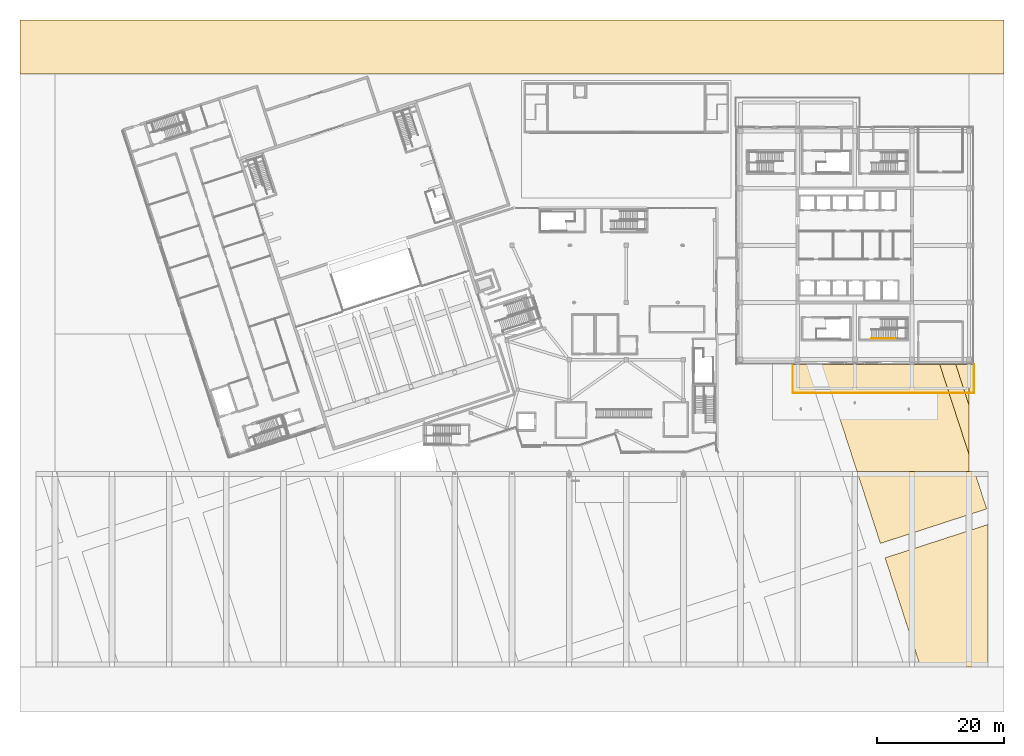
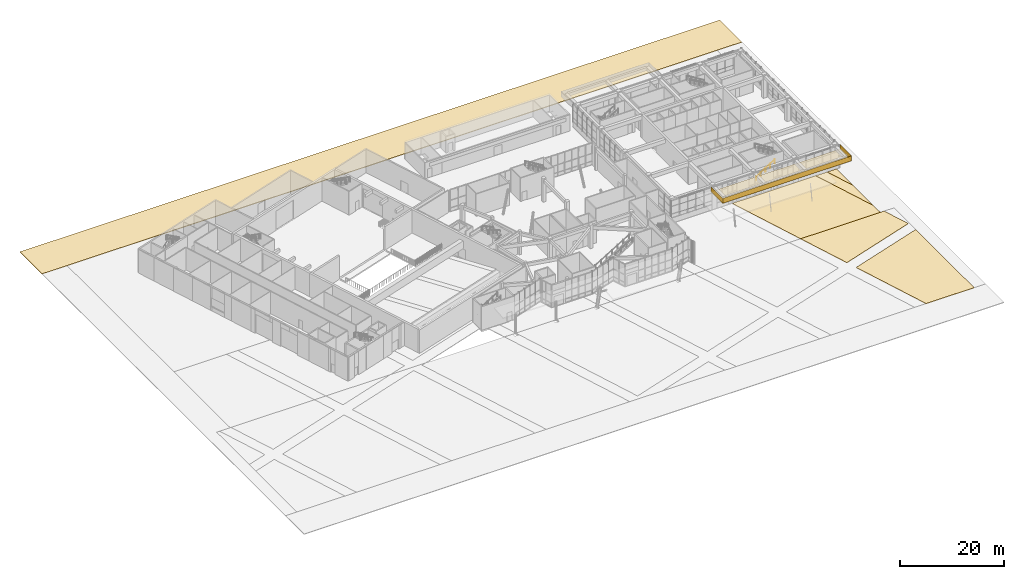
# One storey, part 70 of 72: 8 coverings, 1 railing.
"""IFC4 building model written with IfcOpenShell, lengths in metres."""

import ifcopenshell
import ifcopenshell.guid

model = None  # the IFC model being written
_history = None  # IfcOwnerHistory: only IFC2X3 demands one
_inside = {}  # id of a spatial element -> (the spatial element, [elements in it])
_under = {}  # id of a project, library or spatial element -> (it, [spatial elements below it])
_declared = {}  # id of a project -> (the project, [libraries it declares])
_typed = {}  # id of a type object -> (the type object, [elements of that type])
_made_of = {}  # id of a material, layer set ... -> (it, [elements and type objects made of it])


def new_model(schema):
    """Start an empty IFC model of exactly this schema.

    Asked for "IFC4X3", IfcOpenShell would pick the latest addendum, in which some entities
    have other attributes; the version numbers below select the first issue.
    IFC2X3 requires an IfcOwnerHistory on every rooted entity: one is made here for all.
    """
    global model, _history
    if schema == "IFC4X3":
        model = ifcopenshell.file(schema_version=(4, 3, 0, 0))
    else:
        model = ifcopenshell.file(schema=schema)
    _inside.clear()
    _under.clear()
    _declared.clear()
    _typed.clear()
    _made_of.clear()
    _history = None
    if model.schema == "IFC2X3":
        org = make("IfcOrganization", Name="unknown")
        user = make(
            "IfcPersonAndOrganization",
            ThePerson=make("IfcPerson", FamilyName="unknown"),
            TheOrganization=org,
        )
        app = make(
            "IfcApplication",
            ApplicationDeveloper=org,
            Version="unknown",
            ApplicationFullName="unknown",
            ApplicationIdentifier="unknown",
        )
        _history = make(
            "IfcOwnerHistory",
            OwningUser=user,
            OwningApplication=app,
            ChangeAction="ADDED",
            CreationDate=0,
        )
    return model


def make(cls, **values):
    """One entity of the class cls with the attributes given. An attribute that is None is left unset."""
    return model.create_entity(
        cls, **{name: value for name, value in values.items() if value is not None}
    )


def rooted(cls, **values):
    """An entity with a GlobalId (a new one), such as an element, a storey or a relation."""
    return make(cls, GlobalId=ifcopenshell.guid.new(), OwnerHistory=_history, **values)


def si_unit(unit_type, name, prefix=None):
    """IfcSIUnit, for example si_unit("LENGTHUNIT", "METRE", prefix="MILLI")."""
    return make("IfcSIUnit", UnitType=unit_type, Prefix=prefix, Name=name)


def assignment(units):
    """IfcUnitAssignment: the units of a project."""
    return None if units is None else make("IfcUnitAssignment", Units=units)


def point(xyz):
    """IfcCartesianPoint."""
    return None if xyz is None else make("IfcCartesianPoint", Coordinates=xyz)


def direction(xyz):
    """IfcDirection."""
    return None if xyz is None else make("IfcDirection", DirectionRatios=xyz)


def frame(location, z_axis=None, x_axis=None):
    """IfcAxis2Placement3D, a coordinate frame: its origin and axes. An axis left out is left unset."""
    return make(
        "IfcAxis2Placement3D",
        Location=point(location),
        Axis=direction(z_axis),
        RefDirection=direction(x_axis),
    )


def frame_2d(location, x_axis=None):
    """IfcAxis2Placement2D, a coordinate frame in the plane: its origin and x axis."""
    return make(
        "IfcAxis2Placement2D", Location=point(location), RefDirection=direction(x_axis)
    )


def origin():
    """The frame at (0, 0, 0) with its axes left unset."""
    return frame((0.0, 0.0, 0.0))


def origin_2d():
    """The frame at (0, 0) in the plane with its x axis left unset."""
    return frame_2d((0.0, 0.0))


def place(relative_to, where):
    """IfcLocalPlacement: puts the frame where relative to a parent placement (None: the world)."""
    return make(
        "IfcLocalPlacement", PlacementRelTo=relative_to, RelativePlacement=where
    )


def context(
    kind, dimensions, precision=None, world=None, true_north=None, identifier=None
):
    """IfcGeometricRepresentationContext, for example the 3D "Model" context."""
    return make(
        "IfcGeometricRepresentationContext",
        ContextIdentifier=identifier,
        ContextType=kind,
        CoordinateSpaceDimension=dimensions,
        Precision=precision,
        WorldCoordinateSystem=world,
        TrueNorth=true_north,
    )


def subcontext(parent, identifier, kind, view, scale=None):
    """IfcGeometricRepresentationSubContext, for example "Body" below "Model"."""
    return make(
        "IfcGeometricRepresentationSubContext",
        ContextIdentifier=identifier,
        ContextType=kind,
        ParentContext=parent,
        TargetScale=scale,
        TargetView=view,
    )


def project(units=None, contexts=None):
    """IfcProject with its units and contexts."""
    return rooted(
        "IfcProject",
        Name="project",
        RepresentationContexts=contexts,
        UnitsInContext=assignment(units),
    )


def spatial(cls, under=None, at=None, **own):
    """A site, building, storey or space (cls), placed at a placement, below another one or the project."""
    s = rooted(cls, ObjectPlacement=at, **own)
    if under is not None:
        _under.setdefault(under.id(), (under, []))[1].append(s)
    return s


def polyline(points):
    """IfcPolyline through the points."""
    return make("IfcPolyline", Points=[point(p) for p in points])


def profile(cls, at=None, kind="AREA", **sizes):
    """A parametric profile (cls). Its sizes go by their IFC names, for example OverallWidth=200.0."""
    return make(cls, ProfileType=kind, Position=at, **sizes)


def circle(**sizes):
    """IfcCircleProfileDef."""
    return profile("IfcCircleProfileDef", **sizes)


def outline(outer, holes=None, kind="AREA"):
    """IfcArbitraryClosedProfileDef: a profile drawn as a closed curve; with holes, ...WithVoids."""
    if holes is None:
        return make("IfcArbitraryClosedProfileDef", ProfileType=kind, OuterCurve=outer)
    return make(
        "IfcArbitraryProfileDefWithVoids",
        ProfileType=kind,
        OuterCurve=outer,
        InnerCurves=holes,
    )


def extrude(swept, where, along, depth):
    """IfcExtrudedAreaSolid: the profile swept, set in the frame where, extruded along a direction by depth."""
    return make(
        "IfcExtrudedAreaSolid",
        SweptArea=swept,
        Position=where,
        ExtrudedDirection=direction(along),
        Depth=depth,
    )


def shape(context_of_items, identifier, shape_type, items):
    """IfcShapeRepresentation: the items that make up one representation, for example the "Body"."""
    return make(
        "IfcShapeRepresentation",
        ContextOfItems=context_of_items,
        RepresentationIdentifier=identifier,
        RepresentationType=shape_type,
        Items=items,
    )


def material(Name=None, Category=None):
    """IfcMaterial."""
    return make("IfcMaterial", Name=Name, Category=Category)


def layer(
    of_material, thickness, ventilated=None, Name=None, Category=None, Priority=None
):
    """IfcMaterialLayer: one layer of a wall or slab, of a material (None: an air gap)."""
    return make(
        "IfcMaterialLayer",
        Material=of_material,
        LayerThickness=thickness,
        IsVentilated=ventilated,
        Name=Name,
        Category=Category,
        Priority=Priority,
    )


def layer_set(layers, Name=None):
    """IfcMaterialLayerSet."""
    return make("IfcMaterialLayerSet", MaterialLayers=layers, LayerSetName=Name)


def made_of(thing, what):
    """Note that an element or type object is made of a material, layer set ...; save() writes the relation."""
    if what is not None:
        _made_of.setdefault(what.id(), (what, []))[1].append(thing)
    return thing


def type_object(cls, material=None, **own):
    """A type object (cls), such as IfcWallType, which elements share."""
    return made_of(rooted(cls, **own), material)


def element(
    cls,
    number,
    at=None,
    inside=None,
    cuts=None,
    type_object=None,
    material=None,
    context=None,
    identifier="Body",
    shape_type=None,
    held_by="IfcProductDefinitionShape",
    body=None,
    shapes=None,
    **own,
):
    """One element of the class cls, such as IfcWall. Its Tag is "e" and its number.

    at: its placement. inside: the storey or other place that contains it. cuts: it is an
    opening in that element (IfcRelVoidsElement). A single representation is given by context,
    identifier, shape_type and body (its items); several are given by shapes. held_by: the class
    of the entity that holds the representations. save() writes the other relations.
    """
    e = rooted(cls, Tag="e%d" % number, ObjectPlacement=at, **own)
    if body is not None:
        shapes = [shape(context, identifier, shape_type, body)]
    if shapes is not None:
        e.Representation = make(held_by, Representations=shapes)
    if inside is not None:
        _inside.setdefault(inside.id(), (inside, []))[1].append(e)
    if cuts is not None:
        rooted(
            "IfcRelVoidsElement", RelatingBuildingElement=cuts, RelatedOpeningElement=e
        )
    if type_object is not None:
        _typed.setdefault(type_object.id(), (type_object, []))[1].append(e)
    return made_of(e, material)


def aggregate(whole, parts):
    """IfcRelAggregates: a whole, such as a stair, and the parts it consists of."""
    return rooted("IfcRelAggregates", RelatingObject=whole, RelatedObjects=parts)


def save(model, path):
    """Write the relations noted so far, then the file.

    IfcRelAggregates (storeys below a building ...), IfcRelContainedInSpatialStructure (elements
    in a storey), IfcRelDefinesByType, IfcRelAssociatesMaterial and IfcRelDeclares: one each for
    every whole, place, type object, material and project.
    """
    for whole, parts in _under.values():
        aggregate(whole, parts)
    for where, things in _inside.values():
        rooted(
            "IfcRelContainedInSpatialStructure",
            RelatedElements=things,
            RelatingStructure=where,
        )
    for kind, things in _typed.values():
        rooted("IfcRelDefinesByType", RelatedObjects=things, RelatingType=kind)
    for what, things in _made_of.values():
        rooted("IfcRelAssociatesMaterial", RelatedObjects=things, RelatingMaterial=what)
    for by, libraries in _declared.values():
        rooted("IfcRelDeclares", RelatingContext=by, RelatedDefinitions=libraries)
    model.write(path)


model = new_model("IFC4")

# Units and contexts
model_context = context("Model", 3, precision=1e-05, world=origin(), true_north=direction((0.0, 1.0)))
body_context = subcontext(model_context, "Body", "Model", "MODEL_VIEW")
ifc_project = project(units=[si_unit("LENGTHUNIT", "METRE"), si_unit("AREAUNIT", "SQUARE_METRE"), si_unit("VOLUMEUNIT", "CUBIC_METRE"), si_unit("PLANEANGLEUNIT", "RADIAN"), si_unit("MASSUNIT", "GRAM", prefix="KILO")], contexts=[model_context])

# Site, building, storey
site_placement = place(None, origin())
site = spatial("IfcSite", under=ifc_project, at=site_placement, CompositionType="ELEMENT")
building_placement = place(site_placement, origin())
building = spatial("IfcBuilding", under=site, at=building_placement, Name="Tuart Plaza Theatre", CompositionType="ELEMENT")
storey_placement = place(building_placement, origin())
storey = spatial("IfcBuildingStorey", under=building, at=storey_placement, Name="L00", CompositionType="ELEMENT", Elevation=0.0)

# Coverings
ifc_material_1 = material(Name="Concrete paving, power-floated cast in place", Category="concrete")
ifc_layer_1 = layer(ifc_material_1, 0.14990234375)
ifc_layer_set_1 = layer_set([ifc_layer_1], Name="COVERING-CAST-CONCRETE-PAVING150")
covering_type_1 = type_object("IfcCoveringType", Name="COVERING-CAST-CONCRETE-PAVING150", PredefinedType="FLOORING", material=ifc_layer_set_1)
covering_1_placement = place(storey_placement, frame((0.0, 0.0, -0.14990234375)))
element("IfcCovering", 1, at=covering_1_placement, inside=storey, type_object=covering_type_1, Name="D-COV-FORECOURT-CB-1-8", PredefinedType="FLOORING", context=body_context, shape_type="SweptSolid", body=[
    extrude(outline(polyline([(147.9130859375, 55.199951171875), (145.3896484375, 55.199951171875), (150.0, 41.010986328125), (150.0, 48.777587890625), (147.9130859375, 55.199951171875)])), origin(), (0.0, 0.0, 1.0), 0.14990234375),
])
ifc_material_2 = material(Name="Stone paving", Category="masonry")
ifc_layer_2 = layer(ifc_material_2, 0.14990234375)
ifc_layer_set_2 = layer_set([ifc_layer_2], Name="COVERING-GRADE-PAVING150")
covering_type_2 = type_object("IfcCoveringType", Name="COVERING-GRADE-PAVING150", PredefinedType="USERDEFINED", material=ifc_layer_set_2)
covering_2_placement = place(storey_placement, frame((0.0, 0.0, -0.14990234375)))
element("IfcCovering", 2, at=covering_2_placement, inside=storey, type_object=covering_type_2, Name="D-COV-NORTH-LANE", ObjectType="PAVING", PredefinedType="USERDEFINED", context=body_context, shape_type="SweptSolid", body=[
    extrude(outline(polyline([(155.5, 101.0), (155.5, 109.5), (0.5, 109.5), (0.5, 101.0), (155.5, 101.0)])), origin(), (0.0, 0.0, 1.0), 0.14990234375),
])
ifc_material_3 = material(Name="Granite paving, honed", Category="masonry")
ifc_layer_3 = layer(ifc_material_3, 0.14990234375)
ifc_layer_set_3 = layer_set([ifc_layer_3], Name="COVERING-GRANITE-PAVING150")
covering_type_3 = type_object("IfcCoveringType", Name="COVERING-GRANITE-PAVING150", PredefinedType="FLOORING", material=ifc_layer_set_3)
covering_3_placement = place(storey_placement, frame((0.0, 0.0, -0.14990234375)))
element("IfcCovering", 3, at=covering_3_placement, inside=storey, type_object=covering_type_3, Name="D-COV-DECK-GR-1-6", PredefinedType="FLOORING", context=body_context, shape_type="SweptSolid", body=[
    extrude(outline(polyline([(153.0, 30.043701171875), (136.77099609375, 24.7705078125), (142.35009765625, 7.60009765625), (153.0, 7.60009765625), (153.0, 30.043701171875)])), origin(), (0.0, 0.0, 1.0), 0.14990234375),
])
covering_4_placement = place(storey_placement, frame((0.0, 0.0, -0.14990234375)))
element("IfcCovering", 4, at=covering_4_placement, inside=storey, type_object=covering_type_3, Name="D-COV-DECK-GR-1-13", PredefinedType="FLOORING", context=body_context, shape_type="SweptSolid", body=[
    extrude(outline(polyline([(132.342529296875, 38.39990234375), (136.029541015625, 27.052978515625), (152.76806640625, 32.49169921875), (150.848388671875, 38.39990234375), (132.342529296875, 38.39990234375)])), origin(), (0.0, 0.0, 1.0), 0.14990234375),
])
covering_5_placement = place(storey_placement, frame((0.0, 0.0, -0.14990234375)))
element("IfcCovering", 5, at=covering_5_placement, inside=storey, type_object=covering_type_3, Name="D-COV-FORECOURT-GR-1-5", PredefinedType="FLOORING", context=body_context, shape_type="SweptSolid", body=[
    extrude(outline(polyline([(126.8837890625, 55.2001953125), (132.342529296875, 38.39990234375), (150.0, 38.39990234375), (150.0, 41.010986328125), (145.3896484375, 55.199951171875), (126.8837890625, 55.2001953125)])), origin(), (0.0, 0.0, 1.0), 0.14990234375),
])
covering_6_placement = place(storey_placement, frame((0.0, 0.0, -0.14990234375)))
element("IfcCovering", 6, at=covering_6_placement, inside=storey, type_object=covering_type_3, Name="D-COV-FORECOURT-GR-1-9", PredefinedType="FLOORING", context=body_context, shape_type="SweptSolid", body=[
    extrude(outline(polyline([(147.9130859375, 55.199951171875), (150.0, 48.777587890625), (150.0, 55.199951171875), (147.9130859375, 55.199951171875)])), origin(), (0.0, 0.0, 1.0), 0.14990234375),
])
ifc_material_4 = material(Name="Zinc")
ifc_layer_4 = layer(ifc_material_4, 0.02490234375)
ifc_layer_set_4 = layer_set([ifc_layer_4], Name="COVERING-ZINC-FASCIA25")
covering_type_4 = type_object("IfcCoveringType", Name="COVERING-ZINC-FASCIA25", PredefinedType="CLADDING", material=ifc_layer_set_4)
covering_7_placement = place(storey_placement, frame((0.0, 0.0, 4.324951171875)))
element("IfcCovering", 7, at=covering_7_placement, inside=storey, type_object=covering_type_4, Name="CL87", PredefinedType="CLADDING", context=body_context, shape_type="SweptSolid", body=[
    extrude(outline(polyline([(122.22509765625, 55.249755859375), (122.25, 55.249755859375), (122.25, 50.75), (150.75, 50.75), (150.75, 55.249755859375), (150.75, 55.249755859375), (150.75, 55.249755859375), (150.75, 55.249755859375), (150.75, 55.25), (150.750244140625, 55.25), (150.750244140625, 55.25), (150.750244140625, 55.25), (150.750244140625, 55.25), (150.750244140625, 55.27490234375), (150.77490234375, 55.27490234375), (150.77490234375, 50.72509765625), (122.22509765625, 50.72509765625), (122.22509765625, 55.249755859375)])), origin(), (0.0, 0.0, 1.0), 1.175048828125),
])
ifc_material_5 = material(Name="Zinc")
ifc_layer_5 = layer(ifc_material_5, 0.02490234375)
ifc_layer_set_5 = layer_set([ifc_layer_5], Name="COVERING-ZINC-SOFFIT25")
covering_type_5 = type_object("IfcCoveringType", Name="COVERING-ZINC-SOFFIT25", PredefinedType="CLADDING", material=ifc_layer_set_5)
covering_8_placement = place(storey_placement, frame((0.0, 0.0, 4.324951171875)))
element("IfcCovering", 8, at=covering_8_placement, inside=storey, type_object=covering_type_5, Name="CL86", PredefinedType="CLADDING", context=body_context, shape_type="SweptSolid", body=[
    extrude(outline(polyline([(150.75, 50.75), (122.25, 50.75), (122.25, 55.25), (150.75, 55.25), (150.75, 50.75)])), origin(), (0.0, 0.0, 1.0), 0.025146484375),
])

# Railing
ifc_material_6 = material(Name="Steel Grade C350L0", Category="steel")
railing_type = type_object("IfcRailingType", Name="RAILING Handrail 900", PredefinedType="HANDRAIL", material=ifc_material_6)
railing_placement = place(storey_placement, frame((134.594970703125, 59.35009765625, 0.171875)))
element("IfcRailing", 9, at=railing_placement, inside=storey, type_object=railing_type, Name="HR116", PredefinedType="HANDRAIL", context=body_context, shape_type="SweptSolid", body=[
    extrude(circle(Radius=0.0224609375, at=origin_2d()), frame((0.0, 0.0, 0.87744140625), z_axis=(0.847998304005, 0.0, 0.529998940003), x_axis=(0.0, 1.0, 0.0)), (0.0, 0.0, 1.0), 4.864501953125),
    extrude(circle(Radius=0.01513671875, at=origin_2d()), origin(), (0.0, 0.0, 1.0), 0.85498046875),
    extrude(circle(Radius=0.01513671875, at=origin_2d()), frame((1.03125, 0.0, 0.64453125)), (0.0, 0.0, 1.0), 0.85498046875),
    extrude(circle(Radius=0.01513671875, at=origin_2d()), frame((2.0625, 0.0, 1.2890625)), (0.0, 0.0, 1.0), 0.85498046875),
    extrude(circle(Radius=0.01513671875, at=origin_2d()), frame((3.09375, 0.0, 1.93359375)), (0.0, 0.0, 1.0), 0.85498046875),
    extrude(circle(Radius=0.01513671875, at=origin_2d()), frame((4.125, 0.0, 2.578125)), (0.0, 0.0, 1.0), 0.85498046875),
])

save(model, "model.ifc")
